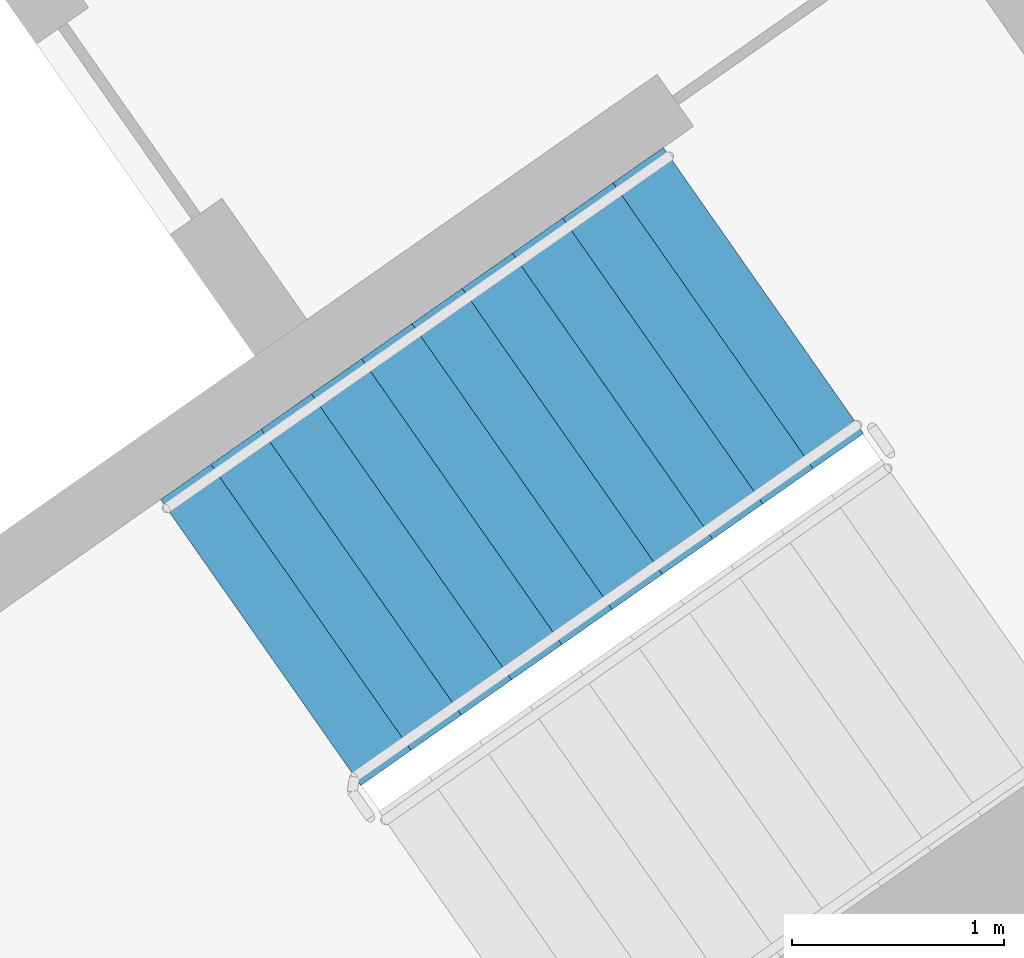
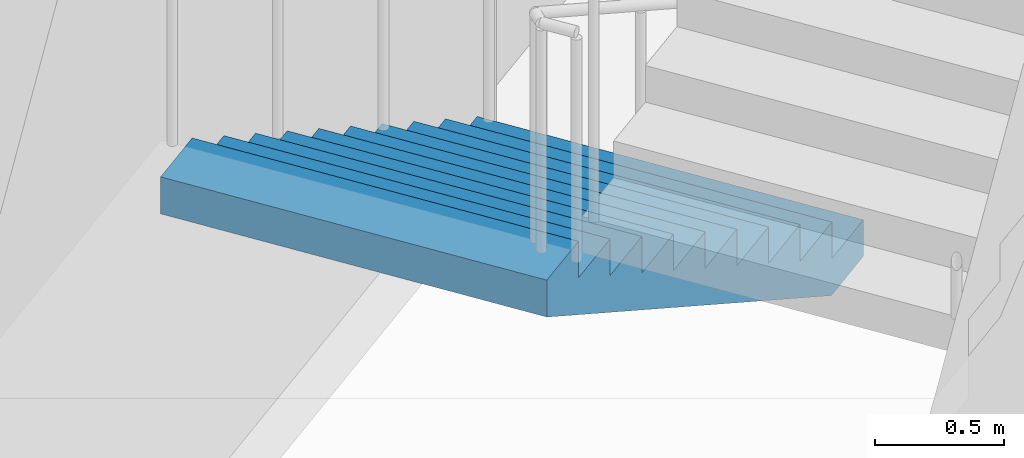
# One storey, part 13 of 27: 1 stair flight, 1 element without a shape of its own.
"""IFC4 building model written with IfcOpenShell, lengths in metres."""

from ifc_helpers import new_model, si_unit, direction, frame, origin, place, context, subcontext, project, spatial, faceted_brep, material, type_object, element, aggregate, save


model = new_model("IFC4")

# Units and contexts
model_context = context("Model", 3, precision=1e-05, world=origin(), true_north=direction((0.0, 1.0)))
body_context = subcontext(model_context, "Body", "Model", "MODEL_VIEW")
ifc_project = project(units=[si_unit("LENGTHUNIT", "METRE"), si_unit("AREAUNIT", "SQUARE_METRE"), si_unit("VOLUMEUNIT", "CUBIC_METRE"), si_unit("PLANEANGLEUNIT", "RADIAN"), si_unit("MASSUNIT", "GRAM", prefix="KILO")], contexts=[model_context])

# Site, building, storey
site_placement = place(None, origin())
site = spatial("IfcSite", under=ifc_project, at=site_placement, CompositionType="ELEMENT")
building_placement = place(site_placement, origin())
building = spatial("IfcBuilding", under=site, at=building_placement, Name="Qamariyya Broadcast Tower", CompositionType="ELEMENT")
storey_placement = place(building_placement, frame((0.0, 0.0, 194.89990234375)))
storey = spatial("IfcBuildingStorey", under=building, at=storey_placement, Name="L46", CompositionType="ELEMENT", Elevation=194.89990234375)

# Stair, stair flight
ifc_material = material(Name="Concrete C50/60", Category="concrete")
stair_type = type_object("IfcStairType", Name="Exit stair 22 risers of 173 mm", PredefinedType="HALF_TURN_STAIR", material=ifc_material)
stair_placement = place(storey_placement, origin())
stair = element("IfcStair", 1, at=stair_placement, inside=storey, type_object=stair_type, Name="L46 Stair E1", PredefinedType="HALF_TURN_STAIR")
stair_flight_type = type_object("IfcStairFlightType", Name="Exit stair flight 11 risers of 173 mm", PredefinedType="STRAIGHT", material=ifc_material)
stair_flight_placement = place(storey_placement, frame((46.036376953125, -55.508056640625, 0.0), z_axis=(0.0, 0.0, 1.0), x_axis=(-0.819152044289, -0.573576436351, 0.0)))
stair_flight = element("IfcStairFlight", 2, at=stair_flight_placement, type_object=stair_flight_type, Name="ST-E1 flight 1", NumberOfRisers=11, NumberOfTreads=10, PredefinedType="STRAIGHT", RiserHeight=0.172727273, TreadLength=0.29, context=body_context, shape_type="Brep", body=[
    faceted_brep([(0.0, 0.824951171875, 0.0), (0.0, 0.824951171875, 0.172607421875), (0.2900390625, 0.824951171875, 0.172607421875), (0.2900390625, 0.824951171875, 0.345458984375), (0.580078125, 0.824951171875, 0.345458984375), (0.580078125, 0.824951171875, 0.51806640625), (0.8701171875, 0.824951171875, 0.51806640625), (0.8701171875, 0.824951171875, 0.69091796875), (1.159912109375, 0.824951171875, 0.69091796875), (1.159912109375, 0.824951171875, 0.863525390625), (1.449951171875, 0.824951171875, 0.863525390625), (1.449951171875, 0.824951171875, 1.036376953125), (1.739990234375, 0.824951171875, 1.036376953125), (1.739990234375, 0.824951171875, 1.208984375), (2.030029296875, 0.824951171875, 1.208984375), (2.030029296875, 0.824951171875, 1.3818359375), (2.320068359375, 0.824951171875, 1.3818359375), (2.320068359375, 0.824951171875, 1.554443359375), (2.610107421875, 0.824951171875, 1.554443359375), (2.610107421875, 0.824951171875, 1.727294921875), (2.89990234375, 0.824951171875, 1.727294921875), (2.89990234375, 0.824951171875, 1.552734375), (0.29296875, 0.824951171875, 0.0), (0.29296875, -0.824951171875, 0.0), (2.89990234375, -0.824951171875, 1.552734375), (2.89990234375, -0.824951171875, 1.727294921875), (2.610107421875, -0.824951171875, 1.727294921875), (2.610107421875, -0.824951171875, 1.554443359375), (2.320068359375, -0.824951171875, 1.554443359375), (2.320068359375, -0.824951171875, 1.3818359375), (2.030029296875, -0.824951171875, 1.3818359375), (2.030029296875, -0.824951171875, 1.208984375), (1.739990234375, -0.824951171875, 1.208984375), (1.739990234375, -0.824951171875, 1.036376953125), (1.449951171875, -0.824951171875, 1.036376953125), (1.449951171875, -0.824951171875, 0.863525390625), (1.159912109375, -0.824951171875, 0.863525390625), (1.159912109375, -0.824951171875, 0.69091796875), (0.8701171875, -0.824951171875, 0.69091796875), (0.8701171875, -0.824951171875, 0.51806640625), (0.580078125, -0.824951171875, 0.51806640625), (0.580078125, -0.824951171875, 0.345458984375), (0.2900390625, -0.824951171875, 0.345458984375), (0.2900390625, -0.824951171875, 0.172607421875), (0.0, -0.824951171875, 0.172607421875), (0.0, -0.824951171875, 0.0), (0.0, 0.10009765625, 0.0), (0.0, 0.086669921875, 0.0), (0.0, 0.0732421875, 0.0), (0.0, 0.06005859375, 0.0), (0.0, 0.046630859375, 0.0), (0.0, 0.033447265625, 0.0), (0.0, 0.02001953125, 0.0), (0.0, 0.006591796875, 0.0), (0.0, -0.006591796875, 0.0), (0.0, -0.02001953125, 0.0), (0.0, -0.033447265625, 0.0), (0.0, -0.046630859375, 0.0), (0.0, -0.06005859375, 0.0), (0.0, -0.0732421875, 0.0), (0.0, -0.086669921875, 0.0), (0.0, -0.10009765625, 0.0), (0.0, -0.10009765625, 0.172607421875), (0.0, -0.086669921875, 0.172607421875), (0.0, -0.0732421875, 0.172607421875), (0.0, -0.06005859375, 0.172607421875), (0.0, -0.046630859375, 0.172607421875), (0.0, -0.033447265625, 0.172607421875), (0.0, -0.02001953125, 0.172607421875), (0.0, -0.006591796875, 0.172607421875), (0.0, 0.006591796875, 0.172607421875), (0.0, 0.02001953125, 0.172607421875), (0.0, 0.033447265625, 0.172607421875), (0.0, 0.046630859375, 0.172607421875), (0.0, 0.06005859375, 0.172607421875), (0.0, 0.0732421875, 0.172607421875), (0.0, 0.086669921875, 0.172607421875), (0.0, 0.10009765625, 0.172607421875), (0.2900390625, -0.10009765625, 0.172607421875), (0.2900390625, -0.086669921875, 0.172607421875), (0.2900390625, -0.0732421875, 0.172607421875), (0.2900390625, -0.06005859375, 0.172607421875), (0.2900390625, -0.046630859375, 0.172607421875), (0.2900390625, -0.033447265625, 0.172607421875), (0.2900390625, -0.02001953125, 0.172607421875), (0.2900390625, -0.006591796875, 0.172607421875), (0.2900390625, 0.006591796875, 0.172607421875), (0.2900390625, 0.02001953125, 0.172607421875), (0.2900390625, 0.033447265625, 0.172607421875), (0.2900390625, 0.046630859375, 0.172607421875), (0.2900390625, 0.06005859375, 0.172607421875), (0.2900390625, 0.0732421875, 0.172607421875), (0.2900390625, 0.086669921875, 0.172607421875), (0.2900390625, 0.10009765625, 0.172607421875), (0.2900390625, -0.10009765625, 0.345458984375), (0.2900390625, -0.086669921875, 0.345458984375), (0.2900390625, -0.0732421875, 0.345458984375), (0.2900390625, -0.06005859375, 0.345458984375), (0.2900390625, -0.046630859375, 0.345458984375), (0.2900390625, -0.033447265625, 0.345458984375), (0.2900390625, -0.02001953125, 0.345458984375), (0.2900390625, -0.006591796875, 0.345458984375), (0.2900390625, 0.006591796875, 0.345458984375), (0.2900390625, 0.02001953125, 0.345458984375), (0.2900390625, 0.033447265625, 0.345458984375), (0.2900390625, 0.046630859375, 0.345458984375), (0.2900390625, 0.06005859375, 0.345458984375), (0.2900390625, 0.0732421875, 0.345458984375), (0.2900390625, 0.086669921875, 0.345458984375), (0.2900390625, 0.10009765625, 0.345458984375), (0.580078125, -0.10009765625, 0.345458984375), (0.580078125, -0.086669921875, 0.345458984375), (0.580078125, -0.0732421875, 0.345458984375), (0.580078125, -0.06005859375, 0.345458984375), (0.580078125, -0.046630859375, 0.345458984375), (0.580078125, -0.033447265625, 0.345458984375), (0.580078125, -0.02001953125, 0.345458984375), (0.580078125, -0.006591796875, 0.345458984375), (0.580078125, 0.006591796875, 0.345458984375), (0.580078125, 0.02001953125, 0.345458984375), (0.580078125, 0.033447265625, 0.345458984375), (0.580078125, 0.046630859375, 0.345458984375), (0.580078125, 0.06005859375, 0.345458984375), (0.580078125, 0.0732421875, 0.345458984375), (0.580078125, 0.086669921875, 0.345458984375), (0.580078125, 0.10009765625, 0.345458984375), (0.580078125, -0.10009765625, 0.51806640625), (0.580078125, -0.086669921875, 0.51806640625), (0.580078125, -0.0732421875, 0.51806640625), (0.580078125, -0.06005859375, 0.51806640625), (0.580078125, -0.046630859375, 0.51806640625), (0.580078125, -0.033447265625, 0.51806640625), (0.580078125, -0.02001953125, 0.51806640625), (0.580078125, -0.006591796875, 0.51806640625), (0.580078125, 0.006591796875, 0.51806640625), (0.580078125, 0.02001953125, 0.51806640625), (0.580078125, 0.033447265625, 0.51806640625), (0.580078125, 0.046630859375, 0.51806640625), (0.580078125, 0.06005859375, 0.51806640625), (0.580078125, 0.0732421875, 0.51806640625), (0.580078125, 0.086669921875, 0.51806640625), (0.580078125, 0.10009765625, 0.51806640625), (0.8701171875, -0.10009765625, 0.51806640625), (0.8701171875, -0.086669921875, 0.51806640625), (0.8701171875, -0.0732421875, 0.51806640625), (0.8701171875, -0.06005859375, 0.51806640625), (0.8701171875, -0.046630859375, 0.51806640625), (0.8701171875, -0.033447265625, 0.51806640625), (0.8701171875, -0.02001953125, 0.51806640625), (0.8701171875, -0.006591796875, 0.51806640625), (0.8701171875, 0.006591796875, 0.51806640625), (0.8701171875, 0.02001953125, 0.51806640625), (0.8701171875, 0.033447265625, 0.51806640625), (0.8701171875, 0.046630859375, 0.51806640625), (0.8701171875, 0.06005859375, 0.51806640625), (0.8701171875, 0.0732421875, 0.51806640625), (0.8701171875, 0.086669921875, 0.51806640625), (0.8701171875, 0.10009765625, 0.51806640625), (0.8701171875, -0.10009765625, 0.69091796875), (0.8701171875, -0.086669921875, 0.69091796875), (0.8701171875, -0.0732421875, 0.69091796875), (0.8701171875, -0.06005859375, 0.69091796875), (0.8701171875, -0.046630859375, 0.69091796875), (0.8701171875, -0.033447265625, 0.69091796875), (0.8701171875, -0.02001953125, 0.69091796875), (0.8701171875, -0.006591796875, 0.69091796875), (0.8701171875, 0.006591796875, 0.69091796875), (0.8701171875, 0.02001953125, 0.69091796875), (0.8701171875, 0.033447265625, 0.69091796875), (0.8701171875, 0.046630859375, 0.69091796875), (0.8701171875, 0.06005859375, 0.69091796875), (0.8701171875, 0.0732421875, 0.69091796875), (0.8701171875, 0.086669921875, 0.69091796875), (0.8701171875, 0.10009765625, 0.69091796875), (1.159912109375, -0.10009765625, 0.69091796875), (1.159912109375, -0.086669921875, 0.69091796875), (1.159912109375, -0.0732421875, 0.69091796875), (1.159912109375, -0.06005859375, 0.69091796875), (1.159912109375, -0.046630859375, 0.69091796875), (1.159912109375, -0.033447265625, 0.69091796875), (1.159912109375, -0.02001953125, 0.69091796875), (1.159912109375, -0.006591796875, 0.69091796875), (1.159912109375, 0.006591796875, 0.69091796875), (1.159912109375, 0.02001953125, 0.69091796875), (1.159912109375, 0.033447265625, 0.69091796875), (1.159912109375, 0.046630859375, 0.69091796875), (1.159912109375, 0.06005859375, 0.69091796875), (1.159912109375, 0.0732421875, 0.69091796875), (1.159912109375, 0.086669921875, 0.69091796875), (1.159912109375, 0.10009765625, 0.69091796875), (1.159912109375, -0.10009765625, 0.863525390625), (1.159912109375, -0.086669921875, 0.863525390625), (1.159912109375, -0.0732421875, 0.863525390625), (1.159912109375, -0.06005859375, 0.863525390625), (1.159912109375, -0.046630859375, 0.863525390625), (1.159912109375, -0.033447265625, 0.863525390625), (1.159912109375, -0.02001953125, 0.863525390625), (1.159912109375, -0.006591796875, 0.863525390625), (1.159912109375, 0.006591796875, 0.863525390625), (1.159912109375, 0.02001953125, 0.863525390625), (1.159912109375, 0.033447265625, 0.863525390625), (1.159912109375, 0.046630859375, 0.863525390625), (1.159912109375, 0.06005859375, 0.863525390625), (1.159912109375, 0.0732421875, 0.863525390625), (1.159912109375, 0.086669921875, 0.863525390625), (1.159912109375, 0.10009765625, 0.863525390625), (1.449951171875, -0.10009765625, 0.863525390625), (1.449951171875, -0.086669921875, 0.863525390625), (1.449951171875, -0.0732421875, 0.863525390625), (1.449951171875, -0.06005859375, 0.863525390625), (1.449951171875, -0.046630859375, 0.863525390625), (1.449951171875, -0.033447265625, 0.863525390625), (1.449951171875, -0.02001953125, 0.863525390625), (1.449951171875, -0.006591796875, 0.863525390625), (1.449951171875, 0.006591796875, 0.863525390625), (1.449951171875, 0.02001953125, 0.863525390625), (1.449951171875, 0.033447265625, 0.863525390625), (1.449951171875, 0.046630859375, 0.863525390625), (1.449951171875, 0.06005859375, 0.863525390625), (1.449951171875, 0.0732421875, 0.863525390625), (1.449951171875, 0.086669921875, 0.863525390625), (1.449951171875, 0.10009765625, 0.863525390625), (1.449951171875, -0.10009765625, 1.036376953125), (1.449951171875, -0.086669921875, 1.036376953125), (1.449951171875, -0.0732421875, 1.036376953125), (1.449951171875, -0.06005859375, 1.036376953125), (1.449951171875, -0.046630859375, 1.036376953125), (1.449951171875, -0.033447265625, 1.036376953125), (1.449951171875, -0.02001953125, 1.036376953125), (1.449951171875, -0.006591796875, 1.036376953125), (1.449951171875, 0.006591796875, 1.036376953125), (1.449951171875, 0.02001953125, 1.036376953125), (1.449951171875, 0.033447265625, 1.036376953125), (1.449951171875, 0.046630859375, 1.036376953125), (1.449951171875, 0.06005859375, 1.036376953125), (1.449951171875, 0.0732421875, 1.036376953125), (1.449951171875, 0.086669921875, 1.036376953125), (1.449951171875, 0.10009765625, 1.036376953125), (1.739990234375, -0.10009765625, 1.036376953125), (1.739990234375, -0.086669921875, 1.036376953125), (1.739990234375, -0.0732421875, 1.036376953125), (1.739990234375, -0.06005859375, 1.036376953125), (1.739990234375, -0.046630859375, 1.036376953125), (1.739990234375, -0.033447265625, 1.036376953125), (1.739990234375, -0.02001953125, 1.036376953125), (1.739990234375, -0.006591796875, 1.036376953125), (1.739990234375, 0.006591796875, 1.036376953125), (1.739990234375, 0.02001953125, 1.036376953125), (1.739990234375, 0.033447265625, 1.036376953125), (1.739990234375, 0.046630859375, 1.036376953125), (1.739990234375, 0.06005859375, 1.036376953125), (1.739990234375, 0.0732421875, 1.036376953125), (1.739990234375, 0.086669921875, 1.036376953125), (1.739990234375, 0.10009765625, 1.036376953125), (1.739990234375, -0.10009765625, 1.208984375), (1.739990234375, -0.086669921875, 1.208984375), (1.739990234375, -0.0732421875, 1.208984375), (1.739990234375, -0.06005859375, 1.208984375), (1.739990234375, -0.046630859375, 1.208984375), (1.739990234375, -0.033447265625, 1.208984375), (1.739990234375, -0.02001953125, 1.208984375), (1.739990234375, -0.006591796875, 1.208984375), (1.739990234375, 0.006591796875, 1.208984375), (1.739990234375, 0.02001953125, 1.208984375), (1.739990234375, 0.033447265625, 1.208984375), (1.739990234375, 0.046630859375, 1.208984375), (1.739990234375, 0.06005859375, 1.208984375), (1.739990234375, 0.0732421875, 1.208984375), (1.739990234375, 0.086669921875, 1.208984375), (1.739990234375, 0.10009765625, 1.208984375), (2.030029296875, -0.10009765625, 1.208984375), (2.030029296875, -0.086669921875, 1.208984375), (2.030029296875, -0.0732421875, 1.208984375), (2.030029296875, -0.06005859375, 1.208984375), (2.030029296875, -0.046630859375, 1.208984375), (2.030029296875, -0.033447265625, 1.208984375), (2.030029296875, -0.02001953125, 1.208984375), (2.030029296875, -0.006591796875, 1.208984375), (2.030029296875, 0.006591796875, 1.208984375), (2.030029296875, 0.02001953125, 1.208984375), (2.030029296875, 0.033447265625, 1.208984375), (2.030029296875, 0.046630859375, 1.208984375), (2.030029296875, 0.06005859375, 1.208984375), (2.030029296875, 0.0732421875, 1.208984375), (2.030029296875, 0.086669921875, 1.208984375), (2.030029296875, 0.10009765625, 1.208984375), (2.030029296875, -0.10009765625, 1.3818359375), (2.030029296875, -0.086669921875, 1.3818359375), (2.030029296875, -0.0732421875, 1.3818359375), (2.030029296875, -0.06005859375, 1.3818359375), (2.030029296875, -0.046630859375, 1.3818359375), (2.030029296875, -0.033447265625, 1.3818359375), (2.030029296875, -0.02001953125, 1.3818359375), (2.030029296875, -0.006591796875, 1.3818359375), (2.030029296875, 0.006591796875, 1.3818359375), (2.030029296875, 0.02001953125, 1.3818359375), (2.030029296875, 0.033447265625, 1.3818359375), (2.030029296875, 0.046630859375, 1.3818359375), (2.030029296875, 0.06005859375, 1.3818359375), (2.030029296875, 0.0732421875, 1.3818359375), (2.030029296875, 0.086669921875, 1.3818359375), (2.030029296875, 0.10009765625, 1.3818359375), (2.320068359375, -0.10009765625, 1.3818359375), (2.320068359375, -0.086669921875, 1.3818359375), (2.320068359375, -0.0732421875, 1.3818359375), (2.320068359375, -0.06005859375, 1.3818359375), (2.320068359375, -0.046630859375, 1.3818359375), (2.320068359375, -0.033447265625, 1.3818359375), (2.320068359375, -0.02001953125, 1.3818359375), (2.320068359375, -0.006591796875, 1.3818359375), (2.320068359375, 0.006591796875, 1.3818359375), (2.320068359375, 0.02001953125, 1.3818359375), (2.320068359375, 0.033447265625, 1.3818359375), (2.320068359375, 0.046630859375, 1.3818359375), (2.320068359375, 0.06005859375, 1.3818359375), (2.320068359375, 0.0732421875, 1.3818359375), (2.320068359375, 0.086669921875, 1.3818359375), (2.320068359375, 0.10009765625, 1.3818359375), (2.320068359375, -0.10009765625, 1.554443359375), (2.320068359375, -0.086669921875, 1.554443359375), (2.320068359375, -0.0732421875, 1.554443359375), (2.320068359375, -0.06005859375, 1.554443359375), (2.320068359375, -0.046630859375, 1.554443359375), (2.320068359375, -0.033447265625, 1.554443359375), (2.320068359375, -0.02001953125, 1.554443359375), (2.320068359375, -0.006591796875, 1.554443359375), (2.320068359375, 0.006591796875, 1.554443359375), (2.320068359375, 0.02001953125, 1.554443359375), (2.320068359375, 0.033447265625, 1.554443359375), (2.320068359375, 0.046630859375, 1.554443359375), (2.320068359375, 0.06005859375, 1.554443359375), (2.320068359375, 0.0732421875, 1.554443359375), (2.320068359375, 0.086669921875, 1.554443359375), (2.320068359375, 0.10009765625, 1.554443359375), (2.610107421875, -0.10009765625, 1.554443359375), (2.610107421875, -0.086669921875, 1.554443359375), (2.610107421875, -0.0732421875, 1.554443359375), (2.610107421875, -0.06005859375, 1.554443359375), (2.610107421875, -0.046630859375, 1.554443359375), (2.610107421875, -0.033447265625, 1.554443359375), (2.610107421875, -0.02001953125, 1.554443359375), (2.610107421875, -0.006591796875, 1.554443359375), (2.610107421875, 0.006591796875, 1.554443359375), (2.610107421875, 0.02001953125, 1.554443359375), (2.610107421875, 0.033447265625, 1.554443359375), (2.610107421875, 0.046630859375, 1.554443359375), (2.610107421875, 0.06005859375, 1.554443359375), (2.610107421875, 0.0732421875, 1.554443359375), (2.610107421875, 0.086669921875, 1.554443359375), (2.610107421875, 0.10009765625, 1.554443359375), (2.610107421875, -0.10009765625, 1.727294921875), (2.610107421875, -0.086669921875, 1.727294921875), (2.610107421875, -0.0732421875, 1.727294921875), (2.610107421875, -0.06005859375, 1.727294921875), (2.610107421875, -0.046630859375, 1.727294921875), (2.610107421875, -0.033447265625, 1.727294921875), (2.610107421875, -0.02001953125, 1.727294921875), (2.610107421875, -0.006591796875, 1.727294921875), (2.610107421875, 0.006591796875, 1.727294921875), (2.610107421875, 0.02001953125, 1.727294921875), (2.610107421875, 0.033447265625, 1.727294921875), (2.610107421875, 0.046630859375, 1.727294921875), (2.610107421875, 0.06005859375, 1.727294921875), (2.610107421875, 0.0732421875, 1.727294921875), (2.610107421875, 0.086669921875, 1.727294921875), (2.610107421875, 0.10009765625, 1.727294921875), (2.89990234375, -0.10009765625, 1.727294921875), (2.89990234375, -0.086669921875, 1.727294921875), (2.89990234375, -0.0732421875, 1.727294921875), (2.89990234375, -0.06005859375, 1.727294921875), (2.89990234375, -0.046630859375, 1.727294921875), (2.89990234375, -0.033447265625, 1.727294921875), (2.89990234375, -0.02001953125, 1.727294921875), (2.89990234375, -0.006591796875, 1.727294921875), (2.89990234375, 0.006591796875, 1.727294921875), (2.89990234375, 0.02001953125, 1.727294921875), (2.89990234375, 0.033447265625, 1.727294921875), (2.89990234375, 0.046630859375, 1.727294921875), (2.89990234375, 0.06005859375, 1.727294921875), (2.89990234375, 0.0732421875, 1.727294921875), (2.89990234375, 0.086669921875, 1.727294921875), (2.89990234375, 0.10009765625, 1.727294921875), (2.89990234375, -0.10009765625, 1.552734375), (2.89990234375, -0.086669921875, 1.552734375), (2.89990234375, -0.0732421875, 1.552734375), (2.89990234375, -0.06005859375, 1.552734375), (2.89990234375, -0.046630859375, 1.552734375), (2.89990234375, -0.033447265625, 1.552734375), (2.89990234375, -0.02001953125, 1.552734375), (2.89990234375, -0.006591796875, 1.552734375), (2.89990234375, 0.006591796875, 1.552734375), (2.89990234375, 0.02001953125, 1.552734375), (2.89990234375, 0.033447265625, 1.552734375), (2.89990234375, 0.046630859375, 1.552734375), (2.89990234375, 0.06005859375, 1.552734375), (2.89990234375, 0.0732421875, 1.552734375), (2.89990234375, 0.086669921875, 1.552734375), (2.89990234375, 0.10009765625, 1.552734375), (0.29296875, -0.10009765625, 0.0), (0.29296875, -0.086669921875, 0.0), (0.29296875, -0.0732421875, 0.0), (0.29296875, -0.06005859375, 0.0), (0.29296875, -0.046630859375, 0.0), (0.29296875, -0.033447265625, 0.0), (0.29296875, -0.02001953125, 0.0), (0.29296875, -0.006591796875, 0.0), (0.29296875, 0.006591796875, 0.0), (0.29296875, 0.02001953125, 0.0), (0.29296875, 0.033447265625, 0.0), (0.29296875, 0.046630859375, 0.0), (0.29296875, 0.06005859375, 0.0), (0.29296875, 0.0732421875, 0.0), (0.29296875, 0.086669921875, 0.0), (0.29296875, 0.10009765625, 0.0)], [[[0, 1, 2, 3, 4, 5, 6, 7, 8, 9, 10, 11, 12, 13, 14, 15, 16, 17, 18, 19, 20, 21, 22]], [[23, 24, 25, 26, 27, 28, 29, 30, 31, 32, 33, 34, 35, 36, 37, 38, 39, 40, 41, 42, 43, 44, 45]], [[0, 46, 47, 48, 49, 50, 51, 52, 53, 54, 55, 56, 57, 58, 59, 60, 61, 45, 44, 62, 63, 64, 65, 66, 67, 68, 69, 70, 71, 72, 73, 74, 75, 76, 77, 1]], [[1, 77, 76, 75, 74, 73, 72, 71, 70, 69, 68, 67, 66, 65, 64, 63, 62, 44, 43, 78, 79, 80, 81, 82, 83, 84, 85, 86, 87, 88, 89, 90, 91, 92, 93, 2]], [[2, 93, 92, 91, 90, 89, 88, 87, 86, 85, 84, 83, 82, 81, 80, 79, 78, 43, 42, 94, 95, 96, 97, 98, 99, 100, 101, 102, 103, 104, 105, 106, 107, 108, 109, 3]], [[3, 109, 108, 107, 106, 105, 104, 103, 102, 101, 100, 99, 98, 97, 96, 95, 94, 42, 41, 110, 111, 112, 113, 114, 115, 116, 117, 118, 119, 120, 121, 122, 123, 124, 125, 4]], [[4, 125, 124, 123, 122, 121, 120, 119, 118, 117, 116, 115, 114, 113, 112, 111, 110, 41, 40, 126, 127, 128, 129, 130, 131, 132, 133, 134, 135, 136, 137, 138, 139, 140, 141, 5]], [[5, 141, 140, 139, 138, 137, 136, 135, 134, 133, 132, 131, 130, 129, 128, 127, 126, 40, 39, 142, 143, 144, 145, 146, 147, 148, 149, 150, 151, 152, 153, 154, 155, 156, 157, 6]], [[6, 157, 156, 155, 154, 153, 152, 151, 150, 149, 148, 147, 146, 145, 144, 143, 142, 39, 38, 158, 159, 160, 161, 162, 163, 164, 165, 166, 167, 168, 169, 170, 171, 172, 173, 7]], [[7, 173, 172, 171, 170, 169, 168, 167, 166, 165, 164, 163, 162, 161, 160, 159, 158, 38, 37, 174, 175, 176, 177, 178, 179, 180, 181, 182, 183, 184, 185, 186, 187, 188, 189, 8]], [[8, 189, 188, 187, 186, 185, 184, 183, 182, 181, 180, 179, 178, 177, 176, 175, 174, 37, 36, 190, 191, 192, 193, 194, 195, 196, 197, 198, 199, 200, 201, 202, 203, 204, 205, 9]], [[9, 205, 204, 203, 202, 201, 200, 199, 198, 197, 196, 195, 194, 193, 192, 191, 190, 36, 35, 206, 207, 208, 209, 210, 211, 212, 213, 214, 215, 216, 217, 218, 219, 220, 221, 10]], [[10, 221, 220, 219, 218, 217, 216, 215, 214, 213, 212, 211, 210, 209, 208, 207, 206, 35, 34, 222, 223, 224, 225, 226, 227, 228, 229, 230, 231, 232, 233, 234, 235, 236, 237, 11]], [[11, 237, 236, 235, 234, 233, 232, 231, 230, 229, 228, 227, 226, 225, 224, 223, 222, 34, 33, 238, 239, 240, 241, 242, 243, 244, 245, 246, 247, 248, 249, 250, 251, 252, 253, 12]], [[12, 253, 252, 251, 250, 249, 248, 247, 246, 245, 244, 243, 242, 241, 240, 239, 238, 33, 32, 254, 255, 256, 257, 258, 259, 260, 261, 262, 263, 264, 265, 266, 267, 268, 269, 13]], [[13, 269, 268, 267, 266, 265, 264, 263, 262, 261, 260, 259, 258, 257, 256, 255, 254, 32, 31, 270, 271, 272, 273, 274, 275, 276, 277, 278, 279, 280, 281, 282, 283, 284, 285, 14]], [[14, 285, 284, 283, 282, 281, 280, 279, 278, 277, 276, 275, 274, 273, 272, 271, 270, 31, 30, 286, 287, 288, 289, 290, 291, 292, 293, 294, 295, 296, 297, 298, 299, 300, 301, 15]], [[15, 301, 300, 299, 298, 297, 296, 295, 294, 293, 292, 291, 290, 289, 288, 287, 286, 30, 29, 302, 303, 304, 305, 306, 307, 308, 309, 310, 311, 312, 313, 314, 315, 316, 317, 16]], [[16, 317, 316, 315, 314, 313, 312, 311, 310, 309, 308, 307, 306, 305, 304, 303, 302, 29, 28, 318, 319, 320, 321, 322, 323, 324, 325, 326, 327, 328, 329, 330, 331, 332, 333, 17]], [[17, 333, 332, 331, 330, 329, 328, 327, 326, 325, 324, 323, 322, 321, 320, 319, 318, 28, 27, 334, 335, 336, 337, 338, 339, 340, 341, 342, 343, 344, 345, 346, 347, 348, 349, 18]], [[18, 349, 348, 347, 346, 345, 344, 343, 342, 341, 340, 339, 338, 337, 336, 335, 334, 27, 26, 350, 351, 352, 353, 354, 355, 356, 357, 358, 359, 360, 361, 362, 363, 364, 365, 19]], [[19, 365, 364, 363, 362, 361, 360, 359, 358, 357, 356, 355, 354, 353, 352, 351, 350, 26, 25, 366, 367, 368, 369, 370, 371, 372, 373, 374, 375, 376, 377, 378, 379, 380, 381, 20]], [[20, 381, 380, 379, 378, 377, 376, 375, 374, 373, 372, 371, 370, 369, 368, 367, 366, 25, 24, 382, 383, 384, 385, 386, 387, 388, 389, 390, 391, 392, 393, 394, 395, 396, 397, 21]], [[21, 397, 396, 395, 394, 393, 392, 391, 390, 389, 388, 387, 386, 385, 384, 383, 382, 24, 23, 398, 399, 400, 401, 402, 403, 404, 405, 406, 407, 408, 409, 410, 411, 412, 413, 22]], [[22, 413, 412, 411, 410, 409, 408, 407, 406, 405, 404, 403, 402, 401, 400, 399, 398, 23, 45, 61, 60, 59, 58, 57, 56, 55, 54, 53, 52, 51, 50, 49, 48, 47, 46, 0]]]),
])
aggregate(stair, [stair_flight])

save(model, "model.ifc")
